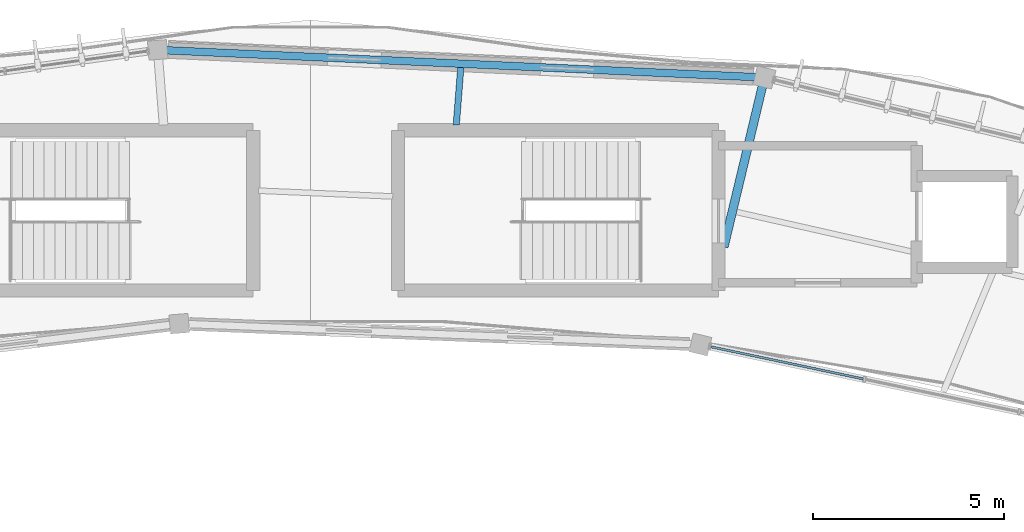
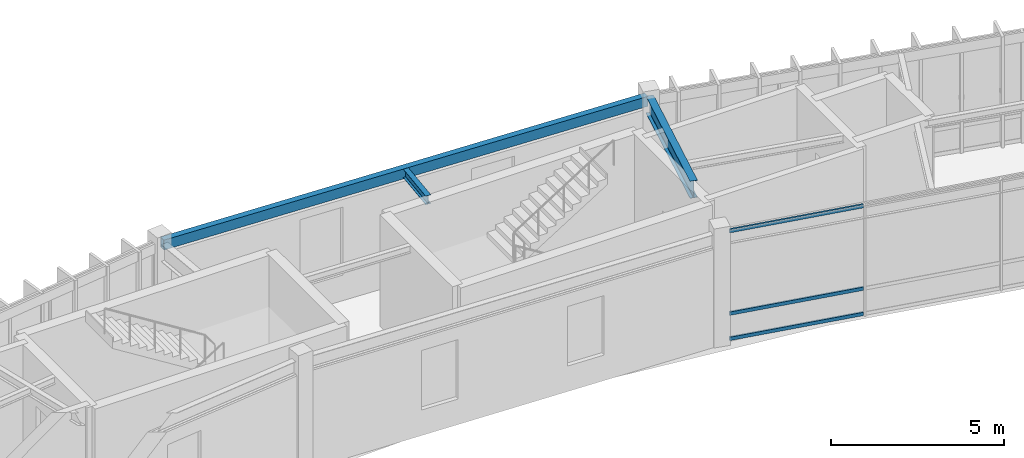
# One storey, part 40 of 78: 3 beams, 3 members, 1 element without a shape of its own.
"""IFC4 building model written with IfcOpenShell, lengths in metres."""

from ifc_helpers import new_model, si_unit, direction, frame, origin, origin_2d, place, context, subcontext, project, spatial, hollow_rectangle, i_section, extrude, material, material_profile, profile_set, type_object, element, aggregate, save


model = new_model("IFC4")

# Units and contexts
model_context = context("Model", 3, precision=1e-05, world=origin(), true_north=direction((0.0, 1.0)))
body_context = subcontext(model_context, "Body", "Model", "MODEL_VIEW")
ifc_project = project(units=[si_unit("LENGTHUNIT", "METRE"), si_unit("AREAUNIT", "SQUARE_METRE"), si_unit("VOLUMEUNIT", "CUBIC_METRE"), si_unit("PLANEANGLEUNIT", "RADIAN"), si_unit("MASSUNIT", "GRAM", prefix="KILO"), si_unit("THERMODYNAMICTEMPERATUREUNIT", "KELVIN"), si_unit("POWERUNIT", "WATT")], contexts=[model_context])

# Site, building, storey
site_placement = place(None, origin())
site = spatial("IfcSite", under=ifc_project, at=site_placement, CompositionType="ELEMENT")
building_placement = place(site_placement, origin())
building = spatial("IfcBuilding", under=site, at=building_placement, Name="Darbajah Civic Hall", CompositionType="ELEMENT")
storey_placement = place(building_placement, frame((0.0, 0.0, 26.39990234375)))
storey = spatial("IfcBuildingStorey", under=building, at=storey_placement, Name="L06", CompositionType="ELEMENT", Elevation=26.39990234375)

# Curtain wall, members
ifc_material_1 = material(Name="Anodised Bronze Aluminium and Low-E Glazing", Category="aluminium")
curtain_wall_type = type_object("IfcCurtainWallType", Name="Unitised Curtain Wall CW-65 12400x3900", PredefinedType="USERDEFINED", material=ifc_material_1)
curtain_wall_placement = place(storey_placement, origin())
curtain_wall = element("IfcCurtainWall", 1, at=curtain_wall_placement, inside=storey, type_object=curtain_wall_type, Name="L06 unitised curtain wall CW-V1I-L06-03", ObjectType="UNITISED CURTAIN WALL", PredefinedType="USERDEFINED")
ifc_material_2 = material(Name="Anodised Bronze Aluminium", Category="aluminium")
ifc_material_profile_1 = material_profile(ifc_material_2, hollow_rectangle(XDim=0.06005859375, YDim=0.1201171875, WallThickness=0.003173828125, at=origin_2d()), Name="ALU TRANSOM 60x120")
ifc_profile_set_1 = profile_set([ifc_material_profile_1], Name="Anodised Bronze Aluminium")
member_type = type_object("IfcMemberType", Name="ALU TRANSOM 60x120", PredefinedType="USERDEFINED", material=ifc_profile_set_1)
member_1_placement = place(storey_placement, frame((103.593017578125, 110.583740234375, 0.06005859375), z_axis=(-0.978481078293, 0.20633656831, 0.0), x_axis=(-0.20633656831, -0.978481078293, 0.0)))
member_1 = element("IfcMember", 2, at=member_1_placement, type_object=member_type, Name="CW-V1I-L06-03 transom 3.1", ObjectType="TRANSOM", PredefinedType="USERDEFINED", context=body_context, shape_type="SweptSolid", body=[
    extrude(hollow_rectangle(XDim=0.06005859375, YDim=0.1201171875, WallThickness=0.003173828125, at=origin_2d()), origin(), (0.0, 0.0, 1.0), 4.074951171875),
])
member_2_placement = place(storey_placement, frame((103.593017578125, 110.583740234375, 0.9501953125), z_axis=(-0.978481078293, 0.20633656831, 0.0), x_axis=(-0.20633656831, -0.978481078293, 0.0)))
member_2 = element("IfcMember", 3, at=member_2_placement, type_object=member_type, Name="CW-V1I-L06-03 transom 3.2", ObjectType="TRANSOM", PredefinedType="USERDEFINED", context=body_context, shape_type="SweptSolid", body=[
    extrude(hollow_rectangle(XDim=0.06005859375, YDim=0.1201171875, WallThickness=0.003173828125, at=origin_2d()), origin(), (0.0, 0.0, 1.0), 4.074951171875),
])
member_3_placement = place(storey_placement, frame((103.593017578125, 110.583740234375, 3.860107421875), z_axis=(-0.978481078293, 0.20633656831, 0.0), x_axis=(-0.20633656831, -0.978481078293, 0.0)))
member_3 = element("IfcMember", 4, at=member_3_placement, type_object=member_type, Name="CW-V1I-L06-03 transom 3.3", ObjectType="TRANSOM", PredefinedType="USERDEFINED", context=body_context, shape_type="SweptSolid", body=[
    extrude(hollow_rectangle(XDim=0.06005859375, YDim=0.1201171875, WallThickness=0.003173828125, at=origin_2d()), origin(), (0.0, 0.0, 1.0), 4.074951171875),
])
aggregate(curtain_wall, [member_1, member_2, member_3])

# Beams
ifc_material_3 = material(Name="Steel S355JR", Category="steel")
ifc_material_profile_2 = material_profile(ifc_material_3, hollow_rectangle(XDim=0.199951171875, YDim=0.35009765625, WallThickness=0.012451171875, at=origin_2d()), Name="RHS 350x200x12.5")
ifc_profile_set_2 = profile_set([ifc_material_profile_2], Name="Steel S355JR")
beam_type_1 = type_object("IfcBeamType", Name="RHS 350x200x12.5", PredefinedType="SPANDREL", material=ifc_profile_set_2)
beam_1_placement = place(storey_placement, frame((100.92578125, 118.488525390625, 3.7451171875), z_axis=(-0.998964928608, 0.04548704664, 0.0), x_axis=(-0.04548704664, -0.998964928608, 0.0)))
element("IfcBeam", 5, at=beam_1_placement, inside=storey, type_object=beam_type_1, Name="L06 beam SP-RHS350", PredefinedType="SPANDREL", context=body_context, shape_type="SweptSolid", body=[
    extrude(hollow_rectangle(XDim=0.199951171875, YDim=0.35009765625, WallThickness=0.012451171875, at=origin_2d()), origin(), (0.0, 0.0, 1.0), 15.763671875),
])
ifc_material_profile_3 = material_profile(ifc_material_3, i_section(OverallWidth=0.165771484375, OverallDepth=0.306640625, WebThickness=0.006591796875, FlangeThickness=0.01171875, FilletRadius=0.0087890625, at=origin_2d()), Name="UB 305x165x46")
ifc_profile_set_3 = profile_set([ifc_material_profile_3], Name="Steel S355JR")
beam_type_2 = type_object("IfcBeamType", Name="UB 305x165x46", PredefinedType="JOIST", material=ifc_profile_set_3)
beam_2_placement = place(storey_placement, frame((92.925537109375, 117.239990234375, 3.766845703125), z_axis=(0.078575634668, 0.996908155066, 0.0), x_axis=(-0.996908155066, 0.078575634668, 0.0)))
element("IfcBeam", 6, at=beam_2_placement, inside=storey, type_object=beam_type_2, Name="L06 beam SJ-305", PredefinedType="JOIST", context=body_context, shape_type="SweptSolid", body=[
    extrude(i_section(OverallWidth=0.165771484375, OverallDepth=0.306640625, WebThickness=0.006591796875, FlangeThickness=0.01171875, FilletRadius=0.0087890625, at=origin_2d()), origin(), (0.0, 0.0, 1.0), 1.510009765625),
])
ifc_material_profile_4 = material_profile(ifc_material_3, i_section(OverallWidth=0.228271484375, OverallDepth=0.607666015625, WebThickness=0.010986328125, FlangeThickness=0.017333984375, FilletRadius=0.0126953125, at=origin_2d()), Name="UB 610x229x113")
ifc_profile_set_4 = profile_set([ifc_material_profile_4], Name="Steel S355JR")
beam_type_3 = type_object("IfcBeamType", Name="UB 610x229x113", PredefinedType="BEAM", material=ifc_profile_set_4)
beam_3_placement = place(storey_placement, frame((99.93994140625, 114.0458984375, 3.6162109375), z_axis=(0.233469714674, 0.972364073961, 0.0), x_axis=(-0.972364073961, 0.233469714674, 0.0)))
element("IfcBeam", 7, at=beam_3_placement, inside=storey, type_object=beam_type_3, Name="L06 beam SB-610", PredefinedType="BEAM", context=body_context, shape_type="SweptSolid", body=[
    extrude(i_section(OverallWidth=0.228271484375, OverallDepth=0.607666015625, WebThickness=0.010986328125, FlangeThickness=0.017333984375, FilletRadius=0.0126953125, at=origin_2d()), origin(), (0.0, 0.0, 1.0), 4.485107421875),
])

save(model, "model.ifc")
